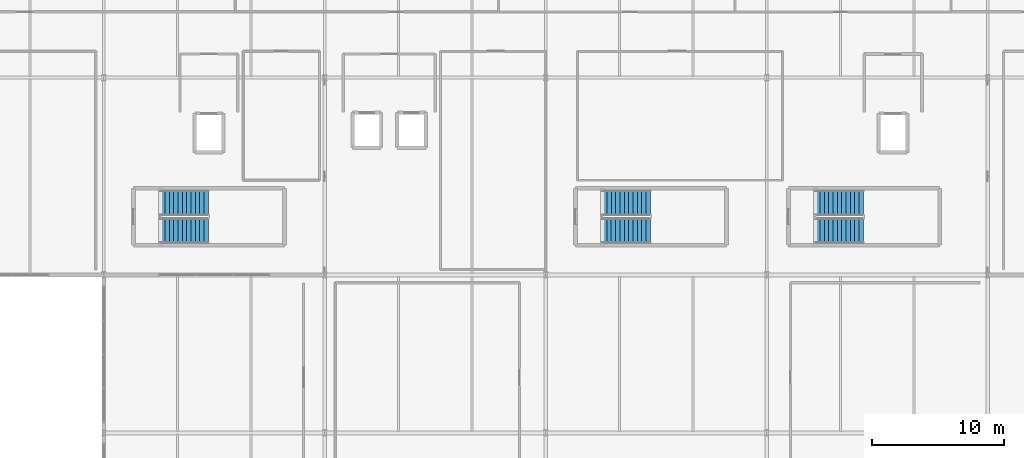
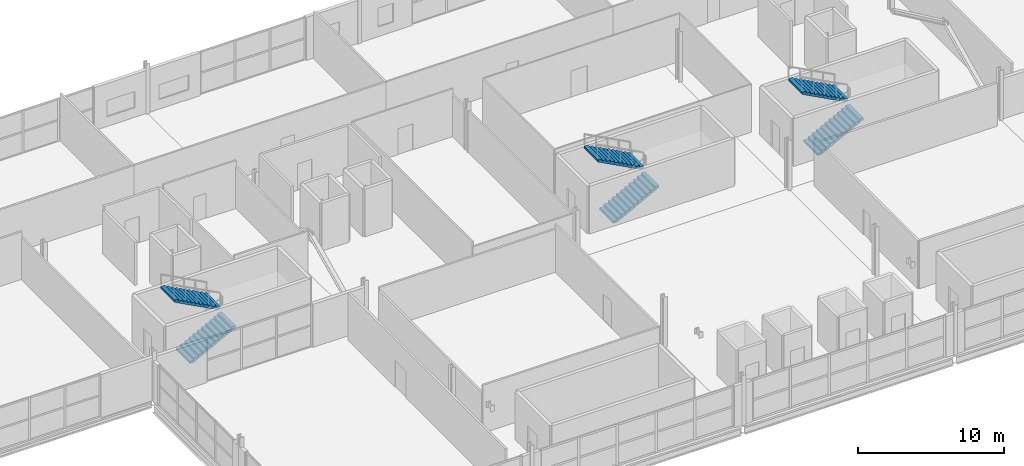
# One storey, part 34 of 39: 6 stair flights, 3 elements without a shape of their own.
"""IFC4 building model written with IfcOpenShell, lengths in metres."""

from ifc_helpers import new_model, si_unit, direction, frame, origin, place, context, subcontext, project, spatial, polyline, outline, extrude, material, type_object, element, aggregate, save


model = new_model("IFC4")

# Units and contexts
model_context = context("Model", 3, precision=1e-05, world=origin(), true_north=direction((0.0, 1.0)))
body_context = subcontext(model_context, "Body", "Model", "MODEL_VIEW")
ifc_project = project(units=[si_unit("LENGTHUNIT", "METRE"), si_unit("AREAUNIT", "SQUARE_METRE"), si_unit("VOLUMEUNIT", "CUBIC_METRE"), si_unit("PLANEANGLEUNIT", "RADIAN"), si_unit("MASSUNIT", "GRAM", prefix="KILO")], contexts=[model_context])

# Site, building, storey
site_placement = place(None, origin())
site = spatial("IfcSite", under=ifc_project, at=site_placement, CompositionType="ELEMENT")
building_placement = place(site_placement, origin())
building = spatial("IfcBuilding", under=site, at=building_placement, Name="Kimbaza Rail Terminus", CompositionType="ELEMENT")
storey_placement = place(building_placement, frame((0.0, 0.0, 16.800048828125)))
storey = spatial("IfcBuildingStorey", under=building, at=storey_placement, Name="L03", CompositionType="ELEMENT", Elevation=16.800048828125)

# Stair, stair flights
ifc_material_1 = material(Name="Concrete C40/50", Category="concrete")
stair_type = type_object("IfcStairType", Name="ARC-STR-03", PredefinedType="HALF_TURN_STAIR", material=ifc_material_1)
stair_1_placement = place(storey_placement, origin())
stair_1 = element("IfcStair", 1, at=stair_1_placement, inside=storey, type_object=stair_type, Name="L03 Operations West Exit Stair", PredefinedType="HALF_TURN_STAIR")
ifc_material_2 = material(Name="Concrete C40/50", Category="concrete")
stair_flight_type = type_object("IfcStairFlightType", Name="ARC-SFL-03", PredefinedType="STRAIGHT", material=ifc_material_2)
stair_flight_1_placement = place(storey_placement, frame((76.320068359375, 106.360107421875, 0.0), z_axis=(0.0, 0.0, 1.0), x_axis=(1.0, 0.0, 0.0)))
stair_flight_1 = element("IfcStairFlight", 2, at=stair_flight_1_placement, type_object=stair_flight_type, Name="ST-W1 flight 1", NumberOfRisers=12, NumberOfTreads=11, PredefinedType="STRAIGHT", RiserHeight=0.175, TreadLength=0.33, context=body_context, shape_type="SweptSolid", body=[
    extrude(outline(polyline([(0.0, 0.0), (0.0, 0.175048828125), (0.330078125, 0.175048828125), (0.330078125, 0.35009765625), (0.659912109375, 0.35009765625), (0.659912109375, 0.52490234375), (0.989990234375, 0.52490234375), (0.989990234375, 0.699951171875), (1.320068359375, 0.699951171875), (1.320068359375, 0.875), (1.64990234375, 0.875), (1.64990234375, 1.050048828125), (1.97998046875, 1.050048828125), (1.97998046875, 1.22509765625), (2.31005859375, 1.22509765625), (2.31005859375, 1.39990234375), (2.639892578125, 1.39990234375), (2.639892578125, 1.574951171875), (2.969970703125, 1.574951171875), (2.969970703125, 1.75), (3.300048828125, 1.75), (3.300048828125, 1.925048828125), (3.6298828125, 1.925048828125), (3.6298828125, 2.10009765625), (3.6298828125, 1.75537109375), (0.320068359375, 0.0), (0.0, 0.0)])), frame((0.0, 0.9599609375, 0.0), z_axis=(0.0, -1.0, 0.0), x_axis=(1.0, 0.0, 0.0)), (0.0, 0.0, 1.0), 1.919921875),
])
stair_flight_2_placement = place(storey_placement, frame((79.949951171875, 108.47998046875, 2.099853515625), z_axis=(0.0, 0.0, 1.0), x_axis=(-1.0, 0.0, 0.0)))
stair_flight_2 = element("IfcStairFlight", 3, at=stair_flight_2_placement, type_object=stair_flight_type, Name="ST-W1 flight 2", NumberOfRisers=12, NumberOfTreads=11, PredefinedType="STRAIGHT", RiserHeight=0.175, TreadLength=0.33, context=body_context, shape_type="SweptSolid", body=[
    extrude(outline(polyline([(0.0, 0.0), (0.0, 0.175048828125), (0.330078125, 0.175048828125), (0.330078125, 0.35009765625), (0.659912109375, 0.35009765625), (0.659912109375, 0.52490234375), (0.989990234375, 0.52490234375), (0.989990234375, 0.699951171875), (1.320068359375, 0.699951171875), (1.320068359375, 0.875), (1.64990234375, 0.875), (1.64990234375, 1.050048828125), (1.97998046875, 1.050048828125), (1.97998046875, 1.22509765625), (2.31005859375, 1.22509765625), (2.31005859375, 1.39990234375), (2.639892578125, 1.39990234375), (2.639892578125, 1.574951171875), (2.969970703125, 1.574951171875), (2.969970703125, 1.75), (3.300048828125, 1.75), (3.300048828125, 1.925048828125), (3.6298828125, 1.925048828125), (3.6298828125, 2.10009765625), (3.6298828125, 1.75537109375), (0.320068359375, 0.0), (0.0, 0.0)])), frame((0.0, 0.9599609375, 0.0), z_axis=(0.0, -1.0, 0.0), x_axis=(1.0, 0.0, 0.0)), (0.0, 0.0, 1.0), 1.919921875),
])
aggregate(stair_1, [stair_flight_1, stair_flight_2])

stair_2_placement = place(storey_placement, origin())
stair_2 = element("IfcStair", 4, at=stair_2_placement, inside=storey, type_object=stair_type, Name="L03 Operations Central Exit Stair", PredefinedType="HALF_TURN_STAIR")
stair_flight_3_placement = place(storey_placement, frame((109.919921875, 106.360107421875, 0.0), z_axis=(0.0, 0.0, 1.0), x_axis=(1.0, 0.0, 0.0)))
stair_flight_3 = element("IfcStairFlight", 5, at=stair_flight_3_placement, type_object=stair_flight_type, Name="ST-M1 flight 1", NumberOfRisers=12, NumberOfTreads=11, PredefinedType="STRAIGHT", RiserHeight=0.175, TreadLength=0.33, context=body_context, shape_type="SweptSolid", body=[
    extrude(outline(polyline([(0.0, 0.0), (0.0, 0.175048828125), (0.330078125, 0.175048828125), (0.330078125, 0.35009765625), (0.659912109375, 0.35009765625), (0.659912109375, 0.52490234375), (0.989990234375, 0.52490234375), (0.989990234375, 0.699951171875), (1.320068359375, 0.699951171875), (1.320068359375, 0.875), (1.64990234375, 0.875), (1.64990234375, 1.050048828125), (1.97998046875, 1.050048828125), (1.97998046875, 1.22509765625), (2.31005859375, 1.22509765625), (2.31005859375, 1.39990234375), (2.639892578125, 1.39990234375), (2.639892578125, 1.574951171875), (2.969970703125, 1.574951171875), (2.969970703125, 1.75), (3.300048828125, 1.75), (3.300048828125, 1.925048828125), (3.6298828125, 1.925048828125), (3.6298828125, 2.10009765625), (3.6298828125, 1.75537109375), (0.320068359375, 0.0), (0.0, 0.0)])), frame((0.0, 0.9599609375, 0.0), z_axis=(0.0, -1.0, 0.0), x_axis=(1.0, 0.0, 0.0)), (0.0, 0.0, 1.0), 1.919921875),
])
stair_flight_4_placement = place(storey_placement, frame((113.550048828125, 108.47998046875, 2.099853515625), z_axis=(0.0, 0.0, 1.0), x_axis=(-1.0, 0.0, 0.0)))
stair_flight_4 = element("IfcStairFlight", 6, at=stair_flight_4_placement, type_object=stair_flight_type, Name="ST-M1 flight 2", NumberOfRisers=12, NumberOfTreads=11, PredefinedType="STRAIGHT", RiserHeight=0.175, TreadLength=0.33, context=body_context, shape_type="SweptSolid", body=[
    extrude(outline(polyline([(0.0, 0.0), (0.0, 0.175048828125), (0.330078125, 0.175048828125), (0.330078125, 0.35009765625), (0.659912109375, 0.35009765625), (0.659912109375, 0.52490234375), (0.989990234375, 0.52490234375), (0.989990234375, 0.699951171875), (1.320068359375, 0.699951171875), (1.320068359375, 0.875), (1.64990234375, 0.875), (1.64990234375, 1.050048828125), (1.97998046875, 1.050048828125), (1.97998046875, 1.22509765625), (2.31005859375, 1.22509765625), (2.31005859375, 1.39990234375), (2.639892578125, 1.39990234375), (2.639892578125, 1.574951171875), (2.969970703125, 1.574951171875), (2.969970703125, 1.75), (3.300048828125, 1.75), (3.300048828125, 1.925048828125), (3.6298828125, 1.925048828125), (3.6298828125, 2.10009765625), (3.6298828125, 1.75537109375), (0.320068359375, 0.0), (0.0, 0.0)])), frame((0.0, 0.9599609375, 0.0), z_axis=(0.0, -1.0, 0.0), x_axis=(1.0, 0.0, 0.0)), (0.0, 0.0, 1.0), 1.919921875),
])
aggregate(stair_2, [stair_flight_3, stair_flight_4])

stair_3_placement = place(storey_placement, origin())
stair_3 = element("IfcStair", 7, at=stair_3_placement, inside=storey, type_object=stair_type, Name="L03 Operations East Exit Stair", PredefinedType="HALF_TURN_STAIR")
stair_flight_5_placement = place(storey_placement, frame((126.1201171875, 106.360107421875, 0.0), z_axis=(0.0, 0.0, 1.0), x_axis=(1.0, 0.0, 0.0)))
stair_flight_5 = element("IfcStairFlight", 8, at=stair_flight_5_placement, type_object=stair_flight_type, Name="ST-E1 flight 1", NumberOfRisers=12, NumberOfTreads=11, PredefinedType="STRAIGHT", RiserHeight=0.175, TreadLength=0.33, context=body_context, shape_type="SweptSolid", body=[
    extrude(outline(polyline([(0.0, 0.0), (0.0, 0.175048828125), (0.330078125, 0.175048828125), (0.330078125, 0.35009765625), (0.659912109375, 0.35009765625), (0.659912109375, 0.52490234375), (0.989990234375, 0.52490234375), (0.989990234375, 0.699951171875), (1.320068359375, 0.699951171875), (1.320068359375, 0.875), (1.64990234375, 0.875), (1.64990234375, 1.050048828125), (1.97998046875, 1.050048828125), (1.97998046875, 1.22509765625), (2.31005859375, 1.22509765625), (2.31005859375, 1.39990234375), (2.639892578125, 1.39990234375), (2.639892578125, 1.574951171875), (2.969970703125, 1.574951171875), (2.969970703125, 1.75), (3.300048828125, 1.75), (3.300048828125, 1.925048828125), (3.6298828125, 1.925048828125), (3.6298828125, 2.10009765625), (3.6298828125, 1.75537109375), (0.320068359375, 0.0), (0.0, 0.0)])), frame((0.0, 0.9599609375, 0.0), z_axis=(0.0, -1.0, 0.0), x_axis=(1.0, 0.0, 0.0)), (0.0, 0.0, 1.0), 1.919921875),
])
stair_flight_6_placement = place(storey_placement, frame((129.75, 108.47998046875, 2.099853515625), z_axis=(0.0, 0.0, 1.0), x_axis=(-1.0, 0.0, 0.0)))
stair_flight_6 = element("IfcStairFlight", 9, at=stair_flight_6_placement, type_object=stair_flight_type, Name="ST-E1 flight 2", NumberOfRisers=12, NumberOfTreads=11, PredefinedType="STRAIGHT", RiserHeight=0.175, TreadLength=0.33, context=body_context, shape_type="SweptSolid", body=[
    extrude(outline(polyline([(0.0, 0.0), (0.0, 0.175048828125), (0.330078125, 0.175048828125), (0.330078125, 0.35009765625), (0.659912109375, 0.35009765625), (0.659912109375, 0.52490234375), (0.989990234375, 0.52490234375), (0.989990234375, 0.699951171875), (1.320068359375, 0.699951171875), (1.320068359375, 0.875), (1.64990234375, 0.875), (1.64990234375, 1.050048828125), (1.97998046875, 1.050048828125), (1.97998046875, 1.22509765625), (2.31005859375, 1.22509765625), (2.31005859375, 1.39990234375), (2.639892578125, 1.39990234375), (2.639892578125, 1.574951171875), (2.969970703125, 1.574951171875), (2.969970703125, 1.75), (3.300048828125, 1.75), (3.300048828125, 1.925048828125), (3.6298828125, 1.925048828125), (3.6298828125, 2.10009765625), (3.6298828125, 1.75537109375), (0.320068359375, 0.0), (0.0, 0.0)])), frame((0.0, 0.9599609375, 0.0), z_axis=(0.0, -1.0, 0.0), x_axis=(1.0, 0.0, 0.0)), (0.0, 0.0, 1.0), 1.919921875),
])
aggregate(stair_3, [stair_flight_5, stair_flight_6])

save(model, "model.ifc")
